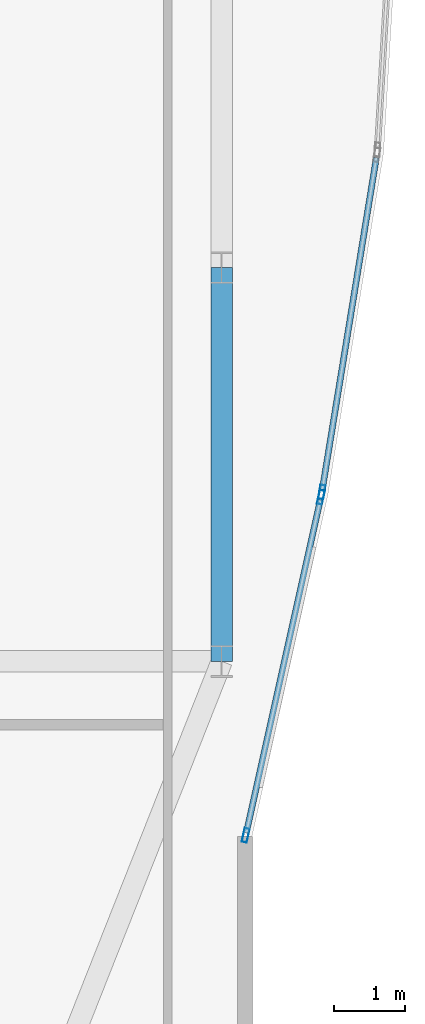
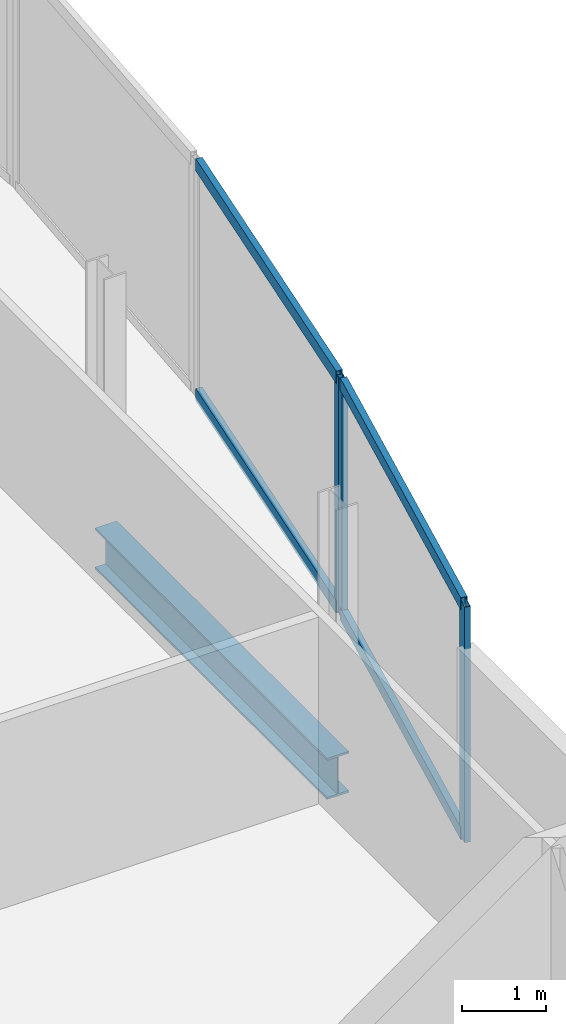
# One storey, part 16 of 30: 7 members, 1 beam, 2 elements without a shape of their own.
"""IFC4 building model written with IfcOpenShell, lengths in metres."""

from ifc_helpers import new_model, si_unit, direction, frame, origin, origin_2d, place, context, subcontext, project, spatial, hollow_rectangle, i_section, extrude, material, material_profile, profile_set, type_object, element, aggregate, save


model = new_model("IFC4")

# Units and contexts
model_context = context("Model", 3, precision=1e-05, world=origin(), true_north=direction((0.0, 1.0)))
body_context = subcontext(model_context, "Body", "Model", "MODEL_VIEW")
ifc_project = project(units=[si_unit("LENGTHUNIT", "METRE"), si_unit("AREAUNIT", "SQUARE_METRE"), si_unit("VOLUMEUNIT", "CUBIC_METRE"), si_unit("PLANEANGLEUNIT", "RADIAN"), si_unit("MASSUNIT", "GRAM", prefix="KILO")], contexts=[model_context])

# Site, building, storey
site_placement = place(None, origin())
site = spatial("IfcSite", under=ifc_project, at=site_placement, CompositionType="ELEMENT")
building_placement = place(site_placement, origin())
building = spatial("IfcBuilding", under=site, at=building_placement, Name="Khoronbel Lancet Exchange", CompositionType="ELEMENT")
storey_placement = place(building_placement, frame((0.0, 0.0, 213.800048828125)))
storey = spatial("IfcBuildingStorey", under=building, at=storey_placement, Name="L54", CompositionType="ELEMENT", Elevation=213.800048828125)

# Beam
ifc_material_1 = material(Name="Steel S355", Category="steel")
ifc_material_profile_1 = material_profile(ifc_material_1, i_section(OverallWidth=0.300048828125, OverallDepth=0.60009765625, WebThickness=0.015380859375, FlangeThickness=0.030029296875, at=origin_2d()), Name="HEB 600")
ifc_profile_set_1 = profile_set([ifc_material_profile_1], Name="Steel S355")
beam_type = type_object("IfcBeamType", Name="BM-BSP2", PredefinedType="SPANDREL", material=ifc_profile_set_1)
beam_placement = place(storey_placement, frame((65.6298828125, 19.199951171875, -0.4599609375), z_axis=(0.0, 1.0, 0.0), x_axis=(-1.0, 0.0, 0.0)))
element("IfcBeam", 1, at=beam_placement, inside=storey, type_object=beam_type, Name="Level L54 perimeter spandrel beam SP11", PredefinedType="SPANDREL", context=body_context, shape_type="SweptSolid", body=[
    extrude(i_section(OverallWidth=0.300048828125, OverallDepth=0.60009765625, WebThickness=0.015380859375, FlangeThickness=0.030029296875, at=origin_2d()), origin(), (0.0, 0.0, 1.0), 5.550048828125),
])

# Curtain wall, member
ifc_material_2 = material(Name="Low-E Solar Control Insulating Glass", Category="glass")
curtain_wall_type = type_object("IfcCurtainWallType", Name="CW-4", PredefinedType="NOTDEFINED", material=ifc_material_2)
curtain_wall_1_placement = place(storey_placement, origin())
curtain_wall_1 = element("IfcCurtainWall", 2, at=curtain_wall_1_placement, inside=storey, type_object=curtain_wall_type, Name="Unitised curtain wall CW-L54-E21", PredefinedType="NOTDEFINED")
ifc_material_3 = material(Name="Bronze-Anodised Aluminium 6063-T6", Category="aluminium")
ifc_material_profile_2 = material_profile(ifc_material_3, hollow_rectangle(XDim=0.074951171875, YDim=0.199951171875, WallThickness=0.0048828125, at=origin_2d()), Name="ALU MULLION 75x200")
ifc_profile_set_2 = profile_set([ifc_material_profile_2], Name="Bronze-Anodised Aluminium 6063-T6")
member_type_1 = type_object("IfcMemberType", Name="MEM-CWM2", PredefinedType="MULLION", material=ifc_profile_set_2)
member_1_placement = place(storey_placement, frame((67.042724609375, 21.58740234375, 0.0), z_axis=(0.0, 0.0, 1.0), x_axis=(0.987003272186, -0.16070015773, 0.0)))
member_1 = element("IfcMember", 3, at=member_1_placement, type_object=member_type_1, Name="CW4 mullion 2", PredefinedType="MULLION", context=body_context, shape_type="SweptSolid", body=[
    extrude(hollow_rectangle(XDim=0.074951171875, YDim=0.199951171875, WallThickness=0.0048828125, at=origin_2d()), origin(), (0.0, 0.0, 1.0), 3.43994140625),
])

# Curtain wall, members
curtain_wall_2_placement = place(storey_placement, origin())
curtain_wall_2 = element("IfcCurtainWall", 4, at=curtain_wall_2_placement, inside=storey, type_object=curtain_wall_type, Name="Unitised curtain wall CW-L54-E22", PredefinedType="NOTDEFINED")
member_2_placement = place(storey_placement, frame((67.028564453125, 21.513671875, 0.0), z_axis=(0.0, 0.0, 1.0), x_axis=(0.976146235114, -0.217114089072, 0.0)))
member_2 = element("IfcMember", 5, at=member_2_placement, type_object=member_type_1, Name="CW4 mullion 1", PredefinedType="MULLION", context=body_context, shape_type="SweptSolid", body=[
    extrude(hollow_rectangle(XDim=0.074951171875, YDim=0.199951171875, WallThickness=0.0048828125, at=origin_2d()), origin(), (0.0, 0.0, 1.0), 3.43994140625),
])
member_3_placement = place(storey_placement, frame((65.96826171875, 16.74658203125, 0.0), z_axis=(0.0, 0.0, 1.0), x_axis=(0.976146235114, -0.217114089072, 0.0)))
member_3 = element("IfcMember", 6, at=member_3_placement, type_object=member_type_1, Name="CW4 mullion 2", PredefinedType="MULLION", context=body_context, shape_type="SweptSolid", body=[
    extrude(hollow_rectangle(XDim=0.074951171875, YDim=0.199951171875, WallThickness=0.0048828125, at=origin_2d()), origin(), (0.0, 0.0, 1.0), 3.43994140625),
])

# Member
ifc_material_profile_3 = material_profile(ifc_material_3, hollow_rectangle(XDim=0.0849609375, YDim=0.179931640625, WallThickness=0.0048828125, at=origin_2d()), Name="ALU TRANSOM 85x180")
ifc_profile_set_3 = profile_set([ifc_material_profile_3], Name="Bronze-Anodised Aluminium 6063-T6")
member_type_2 = type_object("IfcMemberType", Name="MEM-CWT1", PredefinedType="USERDEFINED", material=ifc_profile_set_3)
member_4_placement = place(storey_placement, frame((67.810302734375, 26.302490234375, 0.04248046875), z_axis=(-0.16070594252, -0.987002330311, 0.0), x_axis=(0.987002330311, -0.16070594252, 0.0)))
member_4 = element("IfcMember", 7, at=member_4_placement, type_object=member_type_2, Name="CW4 transom 1.1", ObjectType="TRANSOM", PredefinedType="USERDEFINED", context=body_context, shape_type="SweptSolid", body=[
    extrude(hollow_rectangle(XDim=0.0849609375, YDim=0.179931640625, WallThickness=0.0048828125, at=origin_2d()), origin(), (0.0, 0.0, 1.0), 4.73974609375),
])

member_5_placement = place(storey_placement, frame((67.810302734375, 26.302490234375, 3.3974609375), z_axis=(-0.16070594252, -0.987002330311, 0.0), x_axis=(0.987002330311, -0.16070594252, 0.0)))
member_5 = element("IfcMember", 8, at=member_5_placement, type_object=member_type_2, Name="CW4 transom 1.2", ObjectType="TRANSOM", PredefinedType="USERDEFINED", context=body_context, shape_type="SweptSolid", body=[
    extrude(hollow_rectangle(XDim=0.0849609375, YDim=0.179931640625, WallThickness=0.0048828125, at=origin_2d()), origin(), (0.0, 0.0, 1.0), 4.73974609375),
])

aggregate(curtain_wall_1, [member_1, member_4, member_5])

member_6_placement = place(storey_placement, frame((67.020263671875, 21.47705078125, 0.04248046875), z_axis=(-0.217102483051, -0.976148816448, 0.0), x_axis=(0.976148816448, -0.217102483051, 0.0)))
member_6 = element("IfcMember", 9, at=member_6_placement, type_object=member_type_2, Name="CW4 transom 1.1", ObjectType="TRANSOM", PredefinedType="USERDEFINED", context=body_context, shape_type="SweptSolid", body=[
    extrude(hollow_rectangle(XDim=0.0849609375, YDim=0.179931640625, WallThickness=0.0048828125, at=origin_2d()), origin(), (0.0, 0.0, 1.0), 4.80859375),
])

member_7_placement = place(storey_placement, frame((67.020263671875, 21.47705078125, 3.3974609375), z_axis=(-0.217102483051, -0.976148816448, 0.0), x_axis=(0.976148816448, -0.217102483051, 0.0)))
member_7 = element("IfcMember", 10, at=member_7_placement, type_object=member_type_2, Name="CW4 transom 1.2", ObjectType="TRANSOM", PredefinedType="USERDEFINED", context=body_context, shape_type="SweptSolid", body=[
    extrude(hollow_rectangle(XDim=0.0849609375, YDim=0.179931640625, WallThickness=0.0048828125, at=origin_2d()), origin(), (0.0, 0.0, 1.0), 4.80859375),
])

aggregate(curtain_wall_2, [member_2, member_3, member_6, member_7])

save(model, "model.ifc")
